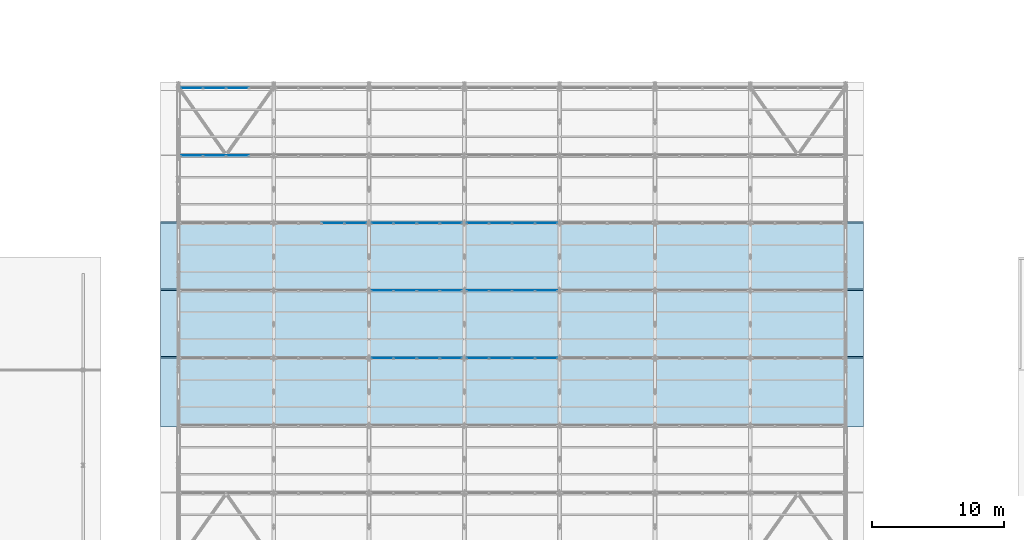
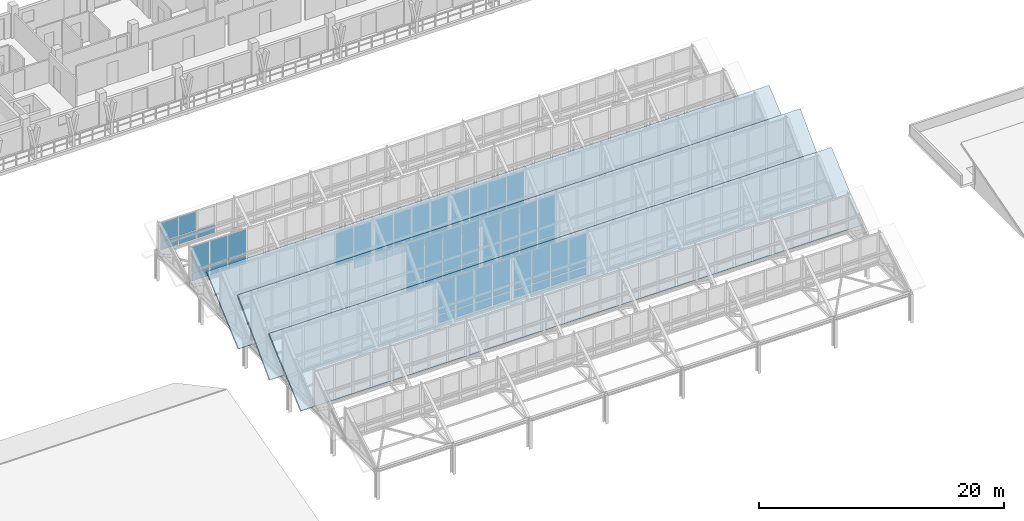
# One storey, part 101 of 157: 62 plates, 3 slabs, 9 elements without a shape of their own.
"""IFC4 building model written with IfcOpenShell, lengths in metres."""

from ifc_helpers import new_model, si_unit, direction, frame, origin, origin_2d, place, context, subcontext, project, spatial, polyline, rectangle, outline, extrude, material, layer, layer_set, type_object, element, aggregate, save


model = new_model("IFC4")

# Units and contexts
model_context = context("Model", 3, precision=1e-05, world=origin(), true_north=direction((0.0, 1.0)))
body_context = subcontext(model_context, "Body", "Model", "MODEL_VIEW")
ifc_project = project(units=[si_unit("LENGTHUNIT", "METRE"), si_unit("AREAUNIT", "SQUARE_METRE"), si_unit("VOLUMEUNIT", "CUBIC_METRE"), si_unit("PLANEANGLEUNIT", "RADIAN"), si_unit("MASSUNIT", "GRAM", prefix="KILO")], contexts=[model_context])

# Site, building, storey
site_placement = place(None, origin())
site = spatial("IfcSite", under=ifc_project, at=site_placement, CompositionType="ELEMENT")
building_placement = place(site_placement, origin())
building = spatial("IfcBuilding", under=site, at=building_placement, Name="Suanplinth Sawtooth Commons", CompositionType="ELEMENT")
storey_placement = place(building_placement, frame((0.0, 0.0, 9.0)))
storey = spatial("IfcBuildingStorey", under=building, at=storey_placement, Name="L02", CompositionType="ELEMENT", Elevation=9.0)

# Curtain wall, plates
ifc_material_1 = material(Name="Anodized aluminium and low-E glazing", Category="aluminium")
curtain_wall_type = type_object("IfcCurtainWallType", Name="CW-03", PredefinedType="USERDEFINED", material=ifc_material_1)
curtain_wall_1_placement = place(storey_placement, origin())
curtain_wall_1 = element("IfcCurtainWall", 1, at=curtain_wall_1_placement, inside=storey, type_object=curtain_wall_type, Name="Curtain Wall CW-SAW-T3-B3", ObjectType="CURTAIN WALL", PredefinedType="USERDEFINED")
ifc_material_2 = material(Name="Diffused north-light laminated glazing", Category="glass")
ifc_layer_1 = layer(ifc_material_2, 0.02587890625, Name="Sawtooth north-light diffused glazing panel 26mm")
ifc_layer_set_1 = layer_set([ifc_layer_1], Name="Diffused north-light laminated glazing")
plate_type_1 = type_object("IfcPlateType", Name="PL-07", PredefinedType="CURTAIN_PANEL", material=ifc_layer_set_1)
plate_1_placement = place(storey_placement, frame((80.208740234375, 65.699951171875, 3.054931640625), z_axis=(0.0, 0.0, 1.0), x_axis=(1.0, 0.0, 0.0)))
plate_1 = element("IfcPlate", 2, at=plate_1_placement, type_object=plate_type_1, Name="CW-03 panel 1.1", PredefinedType="CURTAIN_PANEL", context=body_context, shape_type="SweptSolid", body=[
    extrude(rectangle(XDim=1.62744140625, YDim=0.02587890625, at=origin_2d()), origin(), (0.0, 0.0, 1.0), 0.78759765625),
])
plate_2_placement = place(storey_placement, frame((80.208740234375, 65.699951171875, 3.91748046875), z_axis=(0.0, 0.0, 1.0), x_axis=(1.0, 0.0, 0.0)))
plate_2 = element("IfcPlate", 3, at=plate_2_placement, type_object=plate_type_1, Name="CW-03 panel 1.2", PredefinedType="CURTAIN_PANEL", context=body_context, shape_type="SweptSolid", body=[
    extrude(rectangle(XDim=1.62744140625, YDim=0.02587890625, at=origin_2d()), origin(), (0.0, 0.0, 1.0), 3.297607421875),
])
plate_3_placement = place(storey_placement, frame((81.929931640625, 65.699951171875, 3.054931640625), z_axis=(0.0, 0.0, 1.0), x_axis=(1.0, 0.0, 0.0)))
plate_3 = element("IfcPlate", 4, at=plate_3_placement, type_object=plate_type_1, Name="CW-03 panel 2.1", PredefinedType="CURTAIN_PANEL", context=body_context, shape_type="SweptSolid", body=[
    extrude(rectangle(XDim=1.6650390625, YDim=0.02587890625, at=origin_2d()), origin(), (0.0, 0.0, 1.0), 0.78759765625),
])
plate_4_placement = place(storey_placement, frame((81.929931640625, 65.699951171875, 3.91748046875), z_axis=(0.0, 0.0, 1.0), x_axis=(1.0, 0.0, 0.0)))
plate_4 = element("IfcPlate", 5, at=plate_4_placement, type_object=plate_type_1, Name="CW-03 panel 2.2", PredefinedType="CURTAIN_PANEL", context=body_context, shape_type="SweptSolid", body=[
    extrude(rectangle(XDim=1.6650390625, YDim=0.02587890625, at=origin_2d()), origin(), (0.0, 0.0, 1.0), 3.297607421875),
])
plate_5_placement = place(storey_placement, frame((83.669921875, 65.699951171875, 3.054931640625), z_axis=(0.0, 0.0, 1.0), x_axis=(1.0, 0.0, 0.0)))
plate_5 = element("IfcPlate", 6, at=plate_5_placement, type_object=plate_type_1, Name="CW-03 panel 3.1", PredefinedType="CURTAIN_PANEL", context=body_context, shape_type="SweptSolid", body=[
    extrude(rectangle(XDim=1.6650390625, YDim=0.02587890625, at=origin_2d()), origin(), (0.0, 0.0, 1.0), 0.78759765625),
])
plate_6_placement = place(storey_placement, frame((83.669921875, 65.699951171875, 3.91748046875), z_axis=(0.0, 0.0, 1.0), x_axis=(1.0, 0.0, 0.0)))
plate_6 = element("IfcPlate", 7, at=plate_6_placement, type_object=plate_type_1, Name="CW-03 panel 3.2", PredefinedType="CURTAIN_PANEL", context=body_context, shape_type="SweptSolid", body=[
    extrude(rectangle(XDim=1.6650390625, YDim=0.02587890625, at=origin_2d()), origin(), (0.0, 0.0, 1.0), 3.297607421875),
])
plate_7_placement = place(storey_placement, frame((85.391357421875, 65.699951171875, 3.054931640625), z_axis=(0.0, 0.0, 1.0), x_axis=(1.0, 0.0, 0.0)))
plate_7 = element("IfcPlate", 8, at=plate_7_placement, type_object=plate_type_1, Name="CW-03 panel 4.1", PredefinedType="CURTAIN_PANEL", context=body_context, shape_type="SweptSolid", body=[
    extrude(rectangle(XDim=1.62744140625, YDim=0.02587890625, at=origin_2d()), origin(), (0.0, 0.0, 1.0), 0.78759765625),
])
plate_8_placement = place(storey_placement, frame((85.391357421875, 65.699951171875, 3.91748046875), z_axis=(0.0, 0.0, 1.0), x_axis=(1.0, 0.0, 0.0)))
plate_8 = element("IfcPlate", 9, at=plate_8_placement, type_object=plate_type_1, Name="CW-03 panel 4.2", PredefinedType="CURTAIN_PANEL", context=body_context, shape_type="SweptSolid", body=[
    extrude(rectangle(XDim=1.62744140625, YDim=0.02587890625, at=origin_2d()), origin(), (0.0, 0.0, 1.0), 3.297607421875),
])
aggregate(curtain_wall_1, [plate_1, plate_2, plate_3, plate_4, plate_5, plate_6, plate_7, plate_8])

curtain_wall_2_placement = place(storey_placement, origin())
curtain_wall_2 = element("IfcCurtainWall", 10, at=curtain_wall_2_placement, inside=storey, type_object=curtain_wall_type, Name="Curtain Wall CW-SAW-T3-B4", ObjectType="CURTAIN WALL", PredefinedType="USERDEFINED")
plate_9_placement = place(storey_placement, frame((87.40869140625, 65.699951171875, 3.054931640625), z_axis=(0.0, 0.0, 1.0), x_axis=(1.0, 0.0, 0.0)))
plate_9 = element("IfcPlate", 11, at=plate_9_placement, type_object=plate_type_1, Name="CW-03 panel 1.1", PredefinedType="CURTAIN_PANEL", context=body_context, shape_type="SweptSolid", body=[
    extrude(rectangle(XDim=1.62744140625, YDim=0.02587890625, at=origin_2d()), origin(), (0.0, 0.0, 1.0), 0.78759765625),
])
plate_10_placement = place(storey_placement, frame((87.40869140625, 65.699951171875, 3.91748046875), z_axis=(0.0, 0.0, 1.0), x_axis=(1.0, 0.0, 0.0)))
plate_10 = element("IfcPlate", 12, at=plate_10_placement, type_object=plate_type_1, Name="CW-03 panel 1.2", PredefinedType="CURTAIN_PANEL", context=body_context, shape_type="SweptSolid", body=[
    extrude(rectangle(XDim=1.62744140625, YDim=0.02587890625, at=origin_2d()), origin(), (0.0, 0.0, 1.0), 3.297607421875),
])
plate_11_placement = place(storey_placement, frame((89.1298828125, 65.699951171875, 3.054931640625), z_axis=(0.0, 0.0, 1.0), x_axis=(1.0, 0.0, 0.0)))
plate_11 = element("IfcPlate", 13, at=plate_11_placement, type_object=plate_type_1, Name="CW-03 panel 2.1", PredefinedType="CURTAIN_PANEL", context=body_context, shape_type="SweptSolid", body=[
    extrude(rectangle(XDim=1.6650390625, YDim=0.02587890625, at=origin_2d()), origin(), (0.0, 0.0, 1.0), 0.78759765625),
])
plate_12_placement = place(storey_placement, frame((89.1298828125, 65.699951171875, 3.91748046875), z_axis=(0.0, 0.0, 1.0), x_axis=(1.0, 0.0, 0.0)))
plate_12 = element("IfcPlate", 14, at=plate_12_placement, type_object=plate_type_1, Name="CW-03 panel 2.2", PredefinedType="CURTAIN_PANEL", context=body_context, shape_type="SweptSolid", body=[
    extrude(rectangle(XDim=1.6650390625, YDim=0.02587890625, at=origin_2d()), origin(), (0.0, 0.0, 1.0), 3.297607421875),
])
plate_13_placement = place(storey_placement, frame((90.8701171875, 65.699951171875, 3.054931640625), z_axis=(0.0, 0.0, 1.0), x_axis=(1.0, 0.0, 0.0)))
plate_13 = element("IfcPlate", 15, at=plate_13_placement, type_object=plate_type_1, Name="CW-03 panel 3.1", PredefinedType="CURTAIN_PANEL", context=body_context, shape_type="SweptSolid", body=[
    extrude(rectangle(XDim=1.6650390625, YDim=0.02587890625, at=origin_2d()), origin(), (0.0, 0.0, 1.0), 0.78759765625),
])
plate_14_placement = place(storey_placement, frame((90.8701171875, 65.699951171875, 3.91748046875), z_axis=(0.0, 0.0, 1.0), x_axis=(1.0, 0.0, 0.0)))
plate_14 = element("IfcPlate", 16, at=plate_14_placement, type_object=plate_type_1, Name="CW-03 panel 3.2", PredefinedType="CURTAIN_PANEL", context=body_context, shape_type="SweptSolid", body=[
    extrude(rectangle(XDim=1.6650390625, YDim=0.02587890625, at=origin_2d()), origin(), (0.0, 0.0, 1.0), 3.297607421875),
])
plate_15_placement = place(storey_placement, frame((92.59130859375, 65.699951171875, 3.054931640625), z_axis=(0.0, 0.0, 1.0), x_axis=(1.0, 0.0, 0.0)))
plate_15 = element("IfcPlate", 17, at=plate_15_placement, type_object=plate_type_1, Name="CW-03 panel 4.1", PredefinedType="CURTAIN_PANEL", context=body_context, shape_type="SweptSolid", body=[
    extrude(rectangle(XDim=1.62744140625, YDim=0.02587890625, at=origin_2d()), origin(), (0.0, 0.0, 1.0), 0.78759765625),
])
plate_16_placement = place(storey_placement, frame((92.59130859375, 65.699951171875, 3.91748046875), z_axis=(0.0, 0.0, 1.0), x_axis=(1.0, 0.0, 0.0)))
plate_16 = element("IfcPlate", 18, at=plate_16_placement, type_object=plate_type_1, Name="CW-03 panel 4.2", PredefinedType="CURTAIN_PANEL", context=body_context, shape_type="SweptSolid", body=[
    extrude(rectangle(XDim=1.62744140625, YDim=0.02587890625, at=origin_2d()), origin(), (0.0, 0.0, 1.0), 3.297607421875),
])
aggregate(curtain_wall_2, [plate_9, plate_10, plate_11, plate_12, plate_13, plate_14, plate_15, plate_16])

curtain_wall_3_placement = place(storey_placement, origin())
curtain_wall_3 = element("IfcCurtainWall", 19, at=curtain_wall_3_placement, inside=storey, type_object=curtain_wall_type, Name="Curtain Wall CW-SAW-T5-B2", ObjectType="CURTAIN WALL", PredefinedType="USERDEFINED")
plate_17_placement = place(storey_placement, frame((76.469970703125, 75.89990234375, 3.91748046875), z_axis=(0.0, 0.0, 1.0), x_axis=(1.0, 0.0, 0.0)))
plate_17 = element("IfcPlate", 20, at=plate_17_placement, type_object=plate_type_1, Name="CW-03 panel 3.2", PredefinedType="CURTAIN_PANEL", context=body_context, shape_type="SweptSolid", body=[
    extrude(rectangle(XDim=1.6650390625, YDim=0.02587890625, at=origin_2d()), origin(), (0.0, 0.0, 1.0), 3.297607421875),
])
plate_18_placement = place(storey_placement, frame((78.191162109375, 75.89990234375, 3.054931640625), z_axis=(0.0, 0.0, 1.0), x_axis=(1.0, 0.0, 0.0)))
plate_18 = element("IfcPlate", 21, at=plate_18_placement, type_object=plate_type_1, Name="CW-03 panel 4.1", PredefinedType="CURTAIN_PANEL", context=body_context, shape_type="SweptSolid", body=[
    extrude(rectangle(XDim=1.62744140625, YDim=0.02587890625, at=origin_2d()), origin(), (0.0, 0.0, 1.0), 0.78759765625),
])
plate_19_placement = place(storey_placement, frame((78.191162109375, 75.89990234375, 3.91748046875), z_axis=(0.0, 0.0, 1.0), x_axis=(1.0, 0.0, 0.0)))
plate_19 = element("IfcPlate", 22, at=plate_19_placement, type_object=plate_type_1, Name="CW-03 panel 4.2", PredefinedType="CURTAIN_PANEL", context=body_context, shape_type="SweptSolid", body=[
    extrude(rectangle(XDim=1.62744140625, YDim=0.02587890625, at=origin_2d()), origin(), (0.0, 0.0, 1.0), 3.297607421875),
])
aggregate(curtain_wall_3, [plate_17, plate_18, plate_19])

curtain_wall_4_placement = place(storey_placement, origin())
curtain_wall_4 = element("IfcCurtainWall", 23, at=curtain_wall_4_placement, inside=storey, type_object=curtain_wall_type, Name="Curtain Wall CW-SAW-T5-B3", ObjectType="CURTAIN WALL", PredefinedType="USERDEFINED")
plate_20_placement = place(storey_placement, frame((80.208740234375, 75.89990234375, 3.054931640625), z_axis=(0.0, 0.0, 1.0), x_axis=(1.0, 0.0, 0.0)))
plate_20 = element("IfcPlate", 24, at=plate_20_placement, type_object=plate_type_1, Name="CW-03 panel 1.1", PredefinedType="CURTAIN_PANEL", context=body_context, shape_type="SweptSolid", body=[
    extrude(rectangle(XDim=1.62744140625, YDim=0.02587890625, at=origin_2d()), origin(), (0.0, 0.0, 1.0), 0.78759765625),
])
plate_21_placement = place(storey_placement, frame((80.208740234375, 75.89990234375, 3.91748046875), z_axis=(0.0, 0.0, 1.0), x_axis=(1.0, 0.0, 0.0)))
plate_21 = element("IfcPlate", 25, at=plate_21_placement, type_object=plate_type_1, Name="CW-03 panel 1.2", PredefinedType="CURTAIN_PANEL", context=body_context, shape_type="SweptSolid", body=[
    extrude(rectangle(XDim=1.62744140625, YDim=0.02587890625, at=origin_2d()), origin(), (0.0, 0.0, 1.0), 3.297607421875),
])
plate_22_placement = place(storey_placement, frame((81.929931640625, 75.89990234375, 3.054931640625), z_axis=(0.0, 0.0, 1.0), x_axis=(1.0, 0.0, 0.0)))
plate_22 = element("IfcPlate", 26, at=plate_22_placement, type_object=plate_type_1, Name="CW-03 panel 2.1", PredefinedType="CURTAIN_PANEL", context=body_context, shape_type="SweptSolid", body=[
    extrude(rectangle(XDim=1.6650390625, YDim=0.02587890625, at=origin_2d()), origin(), (0.0, 0.0, 1.0), 0.78759765625),
])
plate_23_placement = place(storey_placement, frame((81.929931640625, 75.89990234375, 3.91748046875), z_axis=(0.0, 0.0, 1.0), x_axis=(1.0, 0.0, 0.0)))
plate_23 = element("IfcPlate", 27, at=plate_23_placement, type_object=plate_type_1, Name="CW-03 panel 2.2", PredefinedType="CURTAIN_PANEL", context=body_context, shape_type="SweptSolid", body=[
    extrude(rectangle(XDim=1.6650390625, YDim=0.02587890625, at=origin_2d()), origin(), (0.0, 0.0, 1.0), 3.297607421875),
])
plate_24_placement = place(storey_placement, frame((83.669921875, 75.89990234375, 3.054931640625), z_axis=(0.0, 0.0, 1.0), x_axis=(1.0, 0.0, 0.0)))
plate_24 = element("IfcPlate", 28, at=plate_24_placement, type_object=plate_type_1, Name="CW-03 panel 3.1", PredefinedType="CURTAIN_PANEL", context=body_context, shape_type="SweptSolid", body=[
    extrude(rectangle(XDim=1.6650390625, YDim=0.02587890625, at=origin_2d()), origin(), (0.0, 0.0, 1.0), 0.78759765625),
])
plate_25_placement = place(storey_placement, frame((83.669921875, 75.89990234375, 3.91748046875), z_axis=(0.0, 0.0, 1.0), x_axis=(1.0, 0.0, 0.0)))
plate_25 = element("IfcPlate", 29, at=plate_25_placement, type_object=plate_type_1, Name="CW-03 panel 3.2", PredefinedType="CURTAIN_PANEL", context=body_context, shape_type="SweptSolid", body=[
    extrude(rectangle(XDim=1.6650390625, YDim=0.02587890625, at=origin_2d()), origin(), (0.0, 0.0, 1.0), 3.297607421875),
])
plate_26_placement = place(storey_placement, frame((85.391357421875, 75.89990234375, 3.054931640625), z_axis=(0.0, 0.0, 1.0), x_axis=(1.0, 0.0, 0.0)))
plate_26 = element("IfcPlate", 30, at=plate_26_placement, type_object=plate_type_1, Name="CW-03 panel 4.1", PredefinedType="CURTAIN_PANEL", context=body_context, shape_type="SweptSolid", body=[
    extrude(rectangle(XDim=1.62744140625, YDim=0.02587890625, at=origin_2d()), origin(), (0.0, 0.0, 1.0), 0.78759765625),
])
plate_27_placement = place(storey_placement, frame((85.391357421875, 75.89990234375, 3.91748046875), z_axis=(0.0, 0.0, 1.0), x_axis=(1.0, 0.0, 0.0)))
plate_27 = element("IfcPlate", 31, at=plate_27_placement, type_object=plate_type_1, Name="CW-03 panel 4.2", PredefinedType="CURTAIN_PANEL", context=body_context, shape_type="SweptSolid", body=[
    extrude(rectangle(XDim=1.62744140625, YDim=0.02587890625, at=origin_2d()), origin(), (0.0, 0.0, 1.0), 3.297607421875),
])
aggregate(curtain_wall_4, [plate_20, plate_21, plate_22, plate_23, plate_24, plate_25, plate_26, plate_27])

curtain_wall_5_placement = place(storey_placement, origin())
curtain_wall_5 = element("IfcCurtainWall", 32, at=curtain_wall_5_placement, inside=storey, type_object=curtain_wall_type, Name="Curtain Wall CW-SAW-T5-B4", ObjectType="CURTAIN WALL", PredefinedType="USERDEFINED")
plate_28_placement = place(storey_placement, frame((87.40869140625, 75.89990234375, 3.054931640625), z_axis=(0.0, 0.0, 1.0), x_axis=(1.0, 0.0, 0.0)))
plate_28 = element("IfcPlate", 33, at=plate_28_placement, type_object=plate_type_1, Name="CW-03 panel 1.1", PredefinedType="CURTAIN_PANEL", context=body_context, shape_type="SweptSolid", body=[
    extrude(rectangle(XDim=1.62744140625, YDim=0.02587890625, at=origin_2d()), origin(), (0.0, 0.0, 1.0), 0.78759765625),
])
plate_29_placement = place(storey_placement, frame((87.40869140625, 75.89990234375, 3.91748046875), z_axis=(0.0, 0.0, 1.0), x_axis=(1.0, 0.0, 0.0)))
plate_29 = element("IfcPlate", 34, at=plate_29_placement, type_object=plate_type_1, Name="CW-03 panel 1.2", PredefinedType="CURTAIN_PANEL", context=body_context, shape_type="SweptSolid", body=[
    extrude(rectangle(XDim=1.62744140625, YDim=0.02587890625, at=origin_2d()), origin(), (0.0, 0.0, 1.0), 3.297607421875),
])
plate_30_placement = place(storey_placement, frame((89.1298828125, 75.89990234375, 3.054931640625), z_axis=(0.0, 0.0, 1.0), x_axis=(1.0, 0.0, 0.0)))
plate_30 = element("IfcPlate", 35, at=plate_30_placement, type_object=plate_type_1, Name="CW-03 panel 2.1", PredefinedType="CURTAIN_PANEL", context=body_context, shape_type="SweptSolid", body=[
    extrude(rectangle(XDim=1.6650390625, YDim=0.02587890625, at=origin_2d()), origin(), (0.0, 0.0, 1.0), 0.78759765625),
])
plate_31_placement = place(storey_placement, frame((89.1298828125, 75.89990234375, 3.91748046875), z_axis=(0.0, 0.0, 1.0), x_axis=(1.0, 0.0, 0.0)))
plate_31 = element("IfcPlate", 36, at=plate_31_placement, type_object=plate_type_1, Name="CW-03 panel 2.2", PredefinedType="CURTAIN_PANEL", context=body_context, shape_type="SweptSolid", body=[
    extrude(rectangle(XDim=1.6650390625, YDim=0.02587890625, at=origin_2d()), origin(), (0.0, 0.0, 1.0), 3.297607421875),
])
plate_32_placement = place(storey_placement, frame((90.8701171875, 75.89990234375, 3.054931640625), z_axis=(0.0, 0.0, 1.0), x_axis=(1.0, 0.0, 0.0)))
plate_32 = element("IfcPlate", 37, at=plate_32_placement, type_object=plate_type_1, Name="CW-03 panel 3.1", PredefinedType="CURTAIN_PANEL", context=body_context, shape_type="SweptSolid", body=[
    extrude(rectangle(XDim=1.6650390625, YDim=0.02587890625, at=origin_2d()), origin(), (0.0, 0.0, 1.0), 0.78759765625),
])
plate_33_placement = place(storey_placement, frame((90.8701171875, 75.89990234375, 3.91748046875), z_axis=(0.0, 0.0, 1.0), x_axis=(1.0, 0.0, 0.0)))
plate_33 = element("IfcPlate", 38, at=plate_33_placement, type_object=plate_type_1, Name="CW-03 panel 3.2", PredefinedType="CURTAIN_PANEL", context=body_context, shape_type="SweptSolid", body=[
    extrude(rectangle(XDim=1.6650390625, YDim=0.02587890625, at=origin_2d()), origin(), (0.0, 0.0, 1.0), 3.297607421875),
])
plate_34_placement = place(storey_placement, frame((92.59130859375, 75.89990234375, 3.054931640625), z_axis=(0.0, 0.0, 1.0), x_axis=(1.0, 0.0, 0.0)))
plate_34 = element("IfcPlate", 39, at=plate_34_placement, type_object=plate_type_1, Name="CW-03 panel 4.1", PredefinedType="CURTAIN_PANEL", context=body_context, shape_type="SweptSolid", body=[
    extrude(rectangle(XDim=1.62744140625, YDim=0.02587890625, at=origin_2d()), origin(), (0.0, 0.0, 1.0), 0.78759765625),
])
plate_35_placement = place(storey_placement, frame((92.59130859375, 75.89990234375, 3.91748046875), z_axis=(0.0, 0.0, 1.0), x_axis=(1.0, 0.0, 0.0)))
plate_35 = element("IfcPlate", 40, at=plate_35_placement, type_object=plate_type_1, Name="CW-03 panel 4.2", PredefinedType="CURTAIN_PANEL", context=body_context, shape_type="SweptSolid", body=[
    extrude(rectangle(XDim=1.62744140625, YDim=0.02587890625, at=origin_2d()), origin(), (0.0, 0.0, 1.0), 3.297607421875),
])
aggregate(curtain_wall_5, [plate_28, plate_29, plate_30, plate_31, plate_32, plate_33, plate_34, plate_35])

curtain_wall_6_placement = place(storey_placement, origin())
curtain_wall_6 = element("IfcCurtainWall", 41, at=curtain_wall_6_placement, inside=storey, type_object=curtain_wall_type, Name="Curtain Wall CW-SAW-T7-B1", ObjectType="CURTAIN WALL", PredefinedType="USERDEFINED")
plate_36_placement = place(storey_placement, frame((65.808837890625, 86.10009765625, 3.054931640625), z_axis=(0.0, 0.0, 1.0), x_axis=(1.0, 0.0, 0.0)))
plate_36 = element("IfcPlate", 42, at=plate_36_placement, type_object=plate_type_1, Name="CW-03 panel 1.1", PredefinedType="CURTAIN_PANEL", context=body_context, shape_type="SweptSolid", body=[
    extrude(rectangle(XDim=1.62744140625, YDim=0.02587890625, at=origin_2d()), origin(), (0.0, 0.0, 1.0), 0.78759765625),
])
plate_37_placement = place(storey_placement, frame((65.808837890625, 86.10009765625, 3.91748046875), z_axis=(0.0, 0.0, 1.0), x_axis=(1.0, 0.0, 0.0)))
plate_37 = element("IfcPlate", 43, at=plate_37_placement, type_object=plate_type_1, Name="CW-03 panel 1.2", PredefinedType="CURTAIN_PANEL", context=body_context, shape_type="SweptSolid", body=[
    extrude(rectangle(XDim=1.62744140625, YDim=0.02587890625, at=origin_2d()), origin(), (0.0, 0.0, 1.0), 1.847412109375),
])
plate_38_placement = place(storey_placement, frame((67.530029296875, 86.10009765625, 3.054931640625), z_axis=(0.0, 0.0, 1.0), x_axis=(1.0, 0.0, 0.0)))
plate_38 = element("IfcPlate", 44, at=plate_38_placement, type_object=plate_type_1, Name="CW-03 panel 2.1", PredefinedType="CURTAIN_PANEL", context=body_context, shape_type="SweptSolid", body=[
    extrude(rectangle(XDim=1.6650390625, YDim=0.02587890625, at=origin_2d()), origin(), (0.0, 0.0, 1.0), 0.78759765625),
])
plate_39_placement = place(storey_placement, frame((67.530029296875, 86.10009765625, 3.91748046875), z_axis=(0.0, 0.0, 1.0), x_axis=(1.0, 0.0, 0.0)))
plate_39 = element("IfcPlate", 45, at=plate_39_placement, type_object=plate_type_1, Name="CW-03 panel 2.2", PredefinedType="CURTAIN_PANEL", context=body_context, shape_type="SweptSolid", body=[
    extrude(rectangle(XDim=1.6650390625, YDim=0.02587890625, at=origin_2d()), origin(), (0.0, 0.0, 1.0), 1.847412109375),
])
plate_40_placement = place(storey_placement, frame((69.27001953125, 86.10009765625, 3.054931640625), z_axis=(0.0, 0.0, 1.0), x_axis=(1.0, 0.0, 0.0)))
plate_40 = element("IfcPlate", 46, at=plate_40_placement, type_object=plate_type_1, Name="CW-03 panel 3.1", PredefinedType="CURTAIN_PANEL", context=body_context, shape_type="SweptSolid", body=[
    extrude(rectangle(XDim=1.6650390625, YDim=0.02587890625, at=origin_2d()), origin(), (0.0, 0.0, 1.0), 0.78759765625),
])
aggregate(curtain_wall_6, [plate_36, plate_37, plate_38, plate_39, plate_40])

curtain_wall_7_placement = place(storey_placement, origin())
curtain_wall_7 = element("IfcCurtainWall", 47, at=curtain_wall_7_placement, inside=storey, type_object=curtain_wall_type, Name="Curtain Wall CW-SAW-T4-B3", ObjectType="CURTAIN WALL", PredefinedType="USERDEFINED")
ifc_material_3 = material(Name="Diffused solar-control north-light glazing", Category="glass")
ifc_layer_2 = layer(ifc_material_3, 0.033935546875, Name="Sawtooth upper diffused glazing panel 34mm")
ifc_layer_set_2 = layer_set([ifc_layer_2], Name="Diffused solar-control north-light glazing")
plate_type_2 = type_object("IfcPlateType", Name="PL-09", PredefinedType="CURTAIN_PANEL", material=ifc_layer_set_2)
plate_41_placement = place(storey_placement, frame((80.208740234375, 70.800048828125, 3.054931640625), z_axis=(0.0, 0.0, 1.0), x_axis=(1.0, 0.0, 0.0)))
plate_41 = element("IfcPlate", 48, at=plate_41_placement, type_object=plate_type_2, Name="CW-03 panel 1.1", PredefinedType="CURTAIN_PANEL", context=body_context, shape_type="SweptSolid", body=[
    extrude(rectangle(XDim=1.62744140625, YDim=0.033935546875, at=origin_2d()), origin(), (0.0, 0.0, 1.0), 0.78759765625),
])
plate_42_placement = place(storey_placement, frame((80.208740234375, 70.800048828125, 3.91748046875), z_axis=(0.0, 0.0, 1.0), x_axis=(1.0, 0.0, 0.0)))
plate_42 = element("IfcPlate", 49, at=plate_42_placement, type_object=plate_type_2, Name="CW-03 panel 1.2", PredefinedType="CURTAIN_PANEL", context=body_context, shape_type="SweptSolid", body=[
    extrude(rectangle(XDim=1.62744140625, YDim=0.033935546875, at=origin_2d()), origin(), (0.0, 0.0, 1.0), 4.047607421875),
])
plate_43_placement = place(storey_placement, frame((81.929931640625, 70.800048828125, 3.054931640625), z_axis=(0.0, 0.0, 1.0), x_axis=(1.0, 0.0, 0.0)))
plate_43 = element("IfcPlate", 50, at=plate_43_placement, type_object=plate_type_2, Name="CW-03 panel 2.1", PredefinedType="CURTAIN_PANEL", context=body_context, shape_type="SweptSolid", body=[
    extrude(rectangle(XDim=1.6650390625, YDim=0.033935546875, at=origin_2d()), origin(), (0.0, 0.0, 1.0), 0.78759765625),
])
plate_44_placement = place(storey_placement, frame((81.929931640625, 70.800048828125, 3.91748046875), z_axis=(0.0, 0.0, 1.0), x_axis=(1.0, 0.0, 0.0)))
plate_44 = element("IfcPlate", 51, at=plate_44_placement, type_object=plate_type_2, Name="CW-03 panel 2.2", PredefinedType="CURTAIN_PANEL", context=body_context, shape_type="SweptSolid", body=[
    extrude(rectangle(XDim=1.6650390625, YDim=0.033935546875, at=origin_2d()), origin(), (0.0, 0.0, 1.0), 4.047607421875),
])
plate_45_placement = place(storey_placement, frame((83.669921875, 70.800048828125, 3.054931640625), z_axis=(0.0, 0.0, 1.0), x_axis=(1.0, 0.0, 0.0)))
plate_45 = element("IfcPlate", 52, at=plate_45_placement, type_object=plate_type_2, Name="CW-03 panel 3.1", PredefinedType="CURTAIN_PANEL", context=body_context, shape_type="SweptSolid", body=[
    extrude(rectangle(XDim=1.6650390625, YDim=0.033935546875, at=origin_2d()), origin(), (0.0, 0.0, 1.0), 0.78759765625),
])
plate_46_placement = place(storey_placement, frame((83.669921875, 70.800048828125, 3.91748046875), z_axis=(0.0, 0.0, 1.0), x_axis=(1.0, 0.0, 0.0)))
plate_46 = element("IfcPlate", 53, at=plate_46_placement, type_object=plate_type_2, Name="CW-03 panel 3.2", PredefinedType="CURTAIN_PANEL", context=body_context, shape_type="SweptSolid", body=[
    extrude(rectangle(XDim=1.6650390625, YDim=0.033935546875, at=origin_2d()), origin(), (0.0, 0.0, 1.0), 4.047607421875),
])
plate_47_placement = place(storey_placement, frame((85.391357421875, 70.800048828125, 3.054931640625), z_axis=(0.0, 0.0, 1.0), x_axis=(1.0, 0.0, 0.0)))
plate_47 = element("IfcPlate", 54, at=plate_47_placement, type_object=plate_type_2, Name="CW-03 panel 4.1", PredefinedType="CURTAIN_PANEL", context=body_context, shape_type="SweptSolid", body=[
    extrude(rectangle(XDim=1.62744140625, YDim=0.033935546875, at=origin_2d()), origin(), (0.0, 0.0, 1.0), 0.78759765625),
])
plate_48_placement = place(storey_placement, frame((85.391357421875, 70.800048828125, 3.91748046875), z_axis=(0.0, 0.0, 1.0), x_axis=(1.0, 0.0, 0.0)))
plate_48 = element("IfcPlate", 55, at=plate_48_placement, type_object=plate_type_2, Name="CW-03 panel 4.2", PredefinedType="CURTAIN_PANEL", context=body_context, shape_type="SweptSolid", body=[
    extrude(rectangle(XDim=1.62744140625, YDim=0.033935546875, at=origin_2d()), origin(), (0.0, 0.0, 1.0), 4.047607421875),
])
aggregate(curtain_wall_7, [plate_41, plate_42, plate_43, plate_44, plate_45, plate_46, plate_47, plate_48])

curtain_wall_8_placement = place(storey_placement, origin())
curtain_wall_8 = element("IfcCurtainWall", 56, at=curtain_wall_8_placement, inside=storey, type_object=curtain_wall_type, Name="Curtain Wall CW-SAW-T4-B4", ObjectType="CURTAIN WALL", PredefinedType="USERDEFINED")
plate_49_placement = place(storey_placement, frame((87.40869140625, 70.800048828125, 3.054931640625), z_axis=(0.0, 0.0, 1.0), x_axis=(1.0, 0.0, 0.0)))
plate_49 = element("IfcPlate", 57, at=plate_49_placement, type_object=plate_type_2, Name="CW-03 panel 1.1", PredefinedType="CURTAIN_PANEL", context=body_context, shape_type="SweptSolid", body=[
    extrude(rectangle(XDim=1.62744140625, YDim=0.033935546875, at=origin_2d()), origin(), (0.0, 0.0, 1.0), 0.78759765625),
])
plate_50_placement = place(storey_placement, frame((87.40869140625, 70.800048828125, 3.91748046875), z_axis=(0.0, 0.0, 1.0), x_axis=(1.0, 0.0, 0.0)))
plate_50 = element("IfcPlate", 58, at=plate_50_placement, type_object=plate_type_2, Name="CW-03 panel 1.2", PredefinedType="CURTAIN_PANEL", context=body_context, shape_type="SweptSolid", body=[
    extrude(rectangle(XDim=1.62744140625, YDim=0.033935546875, at=origin_2d()), origin(), (0.0, 0.0, 1.0), 4.047607421875),
])
plate_51_placement = place(storey_placement, frame((89.1298828125, 70.800048828125, 3.054931640625), z_axis=(0.0, 0.0, 1.0), x_axis=(1.0, 0.0, 0.0)))
plate_51 = element("IfcPlate", 59, at=plate_51_placement, type_object=plate_type_2, Name="CW-03 panel 2.1", PredefinedType="CURTAIN_PANEL", context=body_context, shape_type="SweptSolid", body=[
    extrude(rectangle(XDim=1.6650390625, YDim=0.033935546875, at=origin_2d()), origin(), (0.0, 0.0, 1.0), 0.78759765625),
])
plate_52_placement = place(storey_placement, frame((89.1298828125, 70.800048828125, 3.91748046875), z_axis=(0.0, 0.0, 1.0), x_axis=(1.0, 0.0, 0.0)))
plate_52 = element("IfcPlate", 60, at=plate_52_placement, type_object=plate_type_2, Name="CW-03 panel 2.2", PredefinedType="CURTAIN_PANEL", context=body_context, shape_type="SweptSolid", body=[
    extrude(rectangle(XDim=1.6650390625, YDim=0.033935546875, at=origin_2d()), origin(), (0.0, 0.0, 1.0), 4.047607421875),
])
plate_53_placement = place(storey_placement, frame((90.8701171875, 70.800048828125, 3.054931640625), z_axis=(0.0, 0.0, 1.0), x_axis=(1.0, 0.0, 0.0)))
plate_53 = element("IfcPlate", 61, at=plate_53_placement, type_object=plate_type_2, Name="CW-03 panel 3.1", PredefinedType="CURTAIN_PANEL", context=body_context, shape_type="SweptSolid", body=[
    extrude(rectangle(XDim=1.6650390625, YDim=0.033935546875, at=origin_2d()), origin(), (0.0, 0.0, 1.0), 0.78759765625),
])
plate_54_placement = place(storey_placement, frame((90.8701171875, 70.800048828125, 3.91748046875), z_axis=(0.0, 0.0, 1.0), x_axis=(1.0, 0.0, 0.0)))
plate_54 = element("IfcPlate", 62, at=plate_54_placement, type_object=plate_type_2, Name="CW-03 panel 3.2", PredefinedType="CURTAIN_PANEL", context=body_context, shape_type="SweptSolid", body=[
    extrude(rectangle(XDim=1.6650390625, YDim=0.033935546875, at=origin_2d()), origin(), (0.0, 0.0, 1.0), 4.047607421875),
])
plate_55_placement = place(storey_placement, frame((92.59130859375, 70.800048828125, 3.054931640625), z_axis=(0.0, 0.0, 1.0), x_axis=(1.0, 0.0, 0.0)))
plate_55 = element("IfcPlate", 63, at=plate_55_placement, type_object=plate_type_2, Name="CW-03 panel 4.1", PredefinedType="CURTAIN_PANEL", context=body_context, shape_type="SweptSolid", body=[
    extrude(rectangle(XDim=1.62744140625, YDim=0.033935546875, at=origin_2d()), origin(), (0.0, 0.0, 1.0), 0.78759765625),
])
plate_56_placement = place(storey_placement, frame((92.59130859375, 70.800048828125, 3.91748046875), z_axis=(0.0, 0.0, 1.0), x_axis=(1.0, 0.0, 0.0)))
plate_56 = element("IfcPlate", 64, at=plate_56_placement, type_object=plate_type_2, Name="CW-03 panel 4.2", PredefinedType="CURTAIN_PANEL", context=body_context, shape_type="SweptSolid", body=[
    extrude(rectangle(XDim=1.62744140625, YDim=0.033935546875, at=origin_2d()), origin(), (0.0, 0.0, 1.0), 4.047607421875),
])
aggregate(curtain_wall_8, [plate_49, plate_50, plate_51, plate_52, plate_53, plate_54, plate_55, plate_56])

curtain_wall_9_placement = place(storey_placement, origin())
curtain_wall_9 = element("IfcCurtainWall", 65, at=curtain_wall_9_placement, inside=storey, type_object=curtain_wall_type, Name="Curtain Wall CW-SAW-T6-B1", ObjectType="CURTAIN WALL", PredefinedType="USERDEFINED")
plate_57_placement = place(storey_placement, frame((65.808837890625, 81.0, 3.054931640625), z_axis=(0.0, 0.0, 1.0), x_axis=(1.0, 0.0, 0.0)))
plate_57 = element("IfcPlate", 66, at=plate_57_placement, type_object=plate_type_2, Name="CW-03 panel 1.1", PredefinedType="CURTAIN_PANEL", context=body_context, shape_type="SweptSolid", body=[
    extrude(rectangle(XDim=1.62744140625, YDim=0.033935546875, at=origin_2d()), origin(), (0.0, 0.0, 1.0), 0.78759765625),
])
plate_58_placement = place(storey_placement, frame((65.808837890625, 81.0, 3.91748046875), z_axis=(0.0, 0.0, 1.0), x_axis=(1.0, 0.0, 0.0)))
plate_58 = element("IfcPlate", 67, at=plate_58_placement, type_object=plate_type_2, Name="CW-03 panel 1.2", PredefinedType="CURTAIN_PANEL", context=body_context, shape_type="SweptSolid", body=[
    extrude(rectangle(XDim=1.62744140625, YDim=0.033935546875, at=origin_2d()), origin(), (0.0, 0.0, 1.0), 2.547607421875),
])
plate_59_placement = place(storey_placement, frame((67.530029296875, 81.0, 3.054931640625), z_axis=(0.0, 0.0, 1.0), x_axis=(1.0, 0.0, 0.0)))
plate_59 = element("IfcPlate", 68, at=plate_59_placement, type_object=plate_type_2, Name="CW-03 panel 2.1", PredefinedType="CURTAIN_PANEL", context=body_context, shape_type="SweptSolid", body=[
    extrude(rectangle(XDim=1.6650390625, YDim=0.033935546875, at=origin_2d()), origin(), (0.0, 0.0, 1.0), 0.78759765625),
])
plate_60_placement = place(storey_placement, frame((67.530029296875, 81.0, 3.91748046875), z_axis=(0.0, 0.0, 1.0), x_axis=(1.0, 0.0, 0.0)))
plate_60 = element("IfcPlate", 69, at=plate_60_placement, type_object=plate_type_2, Name="CW-03 panel 2.2", PredefinedType="CURTAIN_PANEL", context=body_context, shape_type="SweptSolid", body=[
    extrude(rectangle(XDim=1.6650390625, YDim=0.033935546875, at=origin_2d()), origin(), (0.0, 0.0, 1.0), 2.547607421875),
])
plate_61_placement = place(storey_placement, frame((69.27001953125, 81.0, 3.054931640625), z_axis=(0.0, 0.0, 1.0), x_axis=(1.0, 0.0, 0.0)))
plate_61 = element("IfcPlate", 70, at=plate_61_placement, type_object=plate_type_2, Name="CW-03 panel 3.1", PredefinedType="CURTAIN_PANEL", context=body_context, shape_type="SweptSolid", body=[
    extrude(rectangle(XDim=1.6650390625, YDim=0.033935546875, at=origin_2d()), origin(), (0.0, 0.0, 1.0), 0.78759765625),
])
plate_62_placement = place(storey_placement, frame((69.27001953125, 81.0, 3.91748046875), z_axis=(0.0, 0.0, 1.0), x_axis=(1.0, 0.0, 0.0)))
plate_62 = element("IfcPlate", 71, at=plate_62_placement, type_object=plate_type_2, Name="CW-03 panel 3.2", PredefinedType="CURTAIN_PANEL", context=body_context, shape_type="SweptSolid", body=[
    extrude(rectangle(XDim=1.6650390625, YDim=0.033935546875, at=origin_2d()), origin(), (0.0, 0.0, 1.0), 2.547607421875),
])
aggregate(curtain_wall_9, [plate_57, plate_58, plate_59, plate_60, plate_61, plate_62])

# Slabs
ifc_material_4 = material(Name="Concrete C35/45", Category="concrete")
ifc_layer_3 = layer(ifc_material_4, 0.179931640625, Name="Sawtooth & pavilion sloped composite roof deck 180mm")
ifc_layer_set_3 = layer_set([ifc_layer_3], Name="Concrete C35/45")
slab_type = type_object("IfcSlabType", Name="S-RF02", PredefinedType="ROOF", material=ifc_layer_set_3)
slab_1_placement = place(storey_placement, frame((63.449951171875, 60.47998046875, 3.09521484375), z_axis=(0.0, -0.65745858956, 0.753490678783), x_axis=(1.0, 0.0, 0.0)))
element("IfcSlab", 72, at=slab_1_placement, inside=storey, type_object=slab_type, Name="Sawtooth Hall North-Light Roof Slope Tooth 3", PredefinedType="ROOF", context=body_context, shape_type="SweptSolid", body=[
    extrude(outline(polyline([(0.0, 0.0), (53.10009765625, 0.0), (53.10009765625, 6.927717687964742), (0.0, 6.927717687964742), (0.0, 0.0)])), origin(), (0.0, 0.0, -1.0), 0.179931640625),
])
slab_2_placement = place(storey_placement, frame((63.449951171875, 65.580078125, 3.07763671875), z_axis=(0.0, -0.713934470534, 0.700212519013), x_axis=(1.0, 0.0, 0.0)))
element("IfcSlab", 73, at=slab_2_placement, inside=storey, type_object=slab_type, Name="Sawtooth Hall North-Light Roof Slope Tooth 4", PredefinedType="ROOF", context=body_context, shape_type="SweptSolid", body=[
    extrude(outline(polyline([(0.0, 0.0), (53.10009765625, 0.0), (53.10009765625, 7.454837726237905), (0.0, 7.454837726237905), (0.0, 0.0)])), origin(), (0.0, 0.0, -1.0), 0.179931640625),
])
slab_3_placement = place(storey_placement, frame((63.449951171875, 70.679931640625, 3.09521484375), z_axis=(0.0, -0.65745858956, 0.753490678783), x_axis=(1.0, 0.0, 0.0)))
element("IfcSlab", 74, at=slab_3_placement, inside=storey, type_object=slab_type, Name="Sawtooth Hall North-Light Roof Slope Tooth 5", PredefinedType="ROOF", context=body_context, shape_type="SweptSolid", body=[
    extrude(outline(polyline([(0.0, 0.0), (53.10009765625, 0.0), (53.10009765625, 6.927717687964742), (0.0, 6.927717687964742), (0.0, 0.0)])), origin(), (0.0, 0.0, -1.0), 0.179931640625),
])

save(model, "model.ifc")
